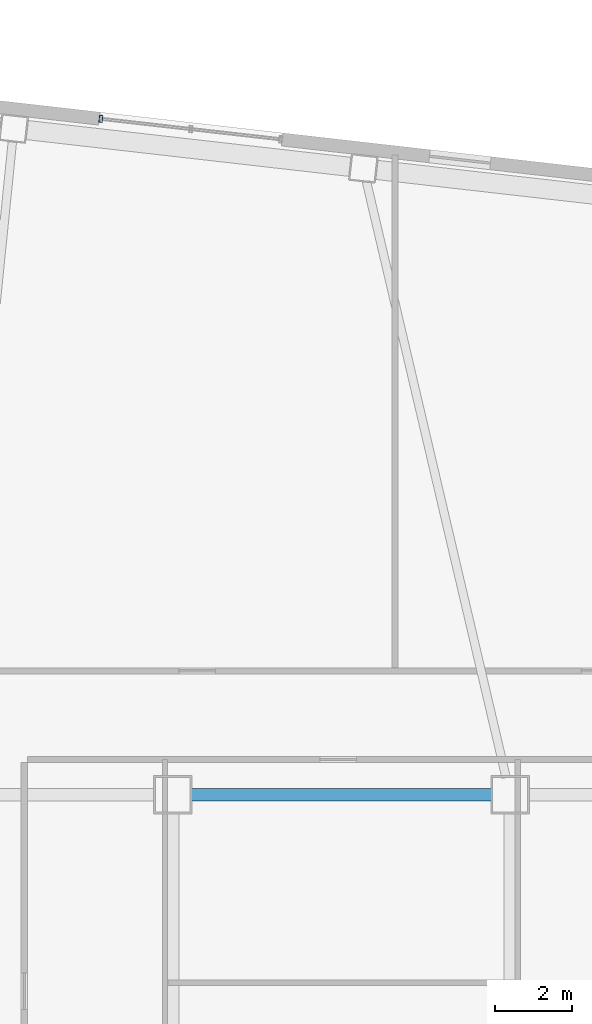
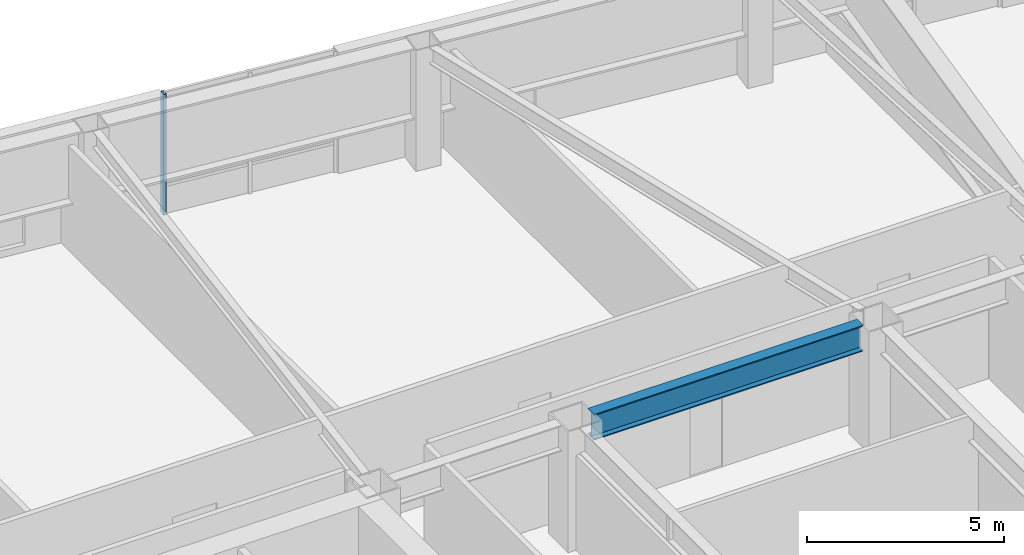
# One storey, part 6 of 21: 1 beam, 1 member, 1 element without a shape of its own.
"""IFC4 building model written with IfcOpenShell, lengths in metres."""

from ifc_helpers import new_model, si_unit, direction, frame, origin, origin_2d, place, context, subcontext, project, spatial, hollow_rectangle, i_section, extrude, material, layer, layer_set, material_profile, profile_set, type_object, element, aggregate, save


model = new_model("IFC4")

# Units and contexts
model_context = context("Model", 3, precision=1e-05, world=origin(), true_north=direction((0.0, 1.0)))
body_context = subcontext(model_context, "Body", "Model", "MODEL_VIEW")
ifc_project = project(units=[si_unit("LENGTHUNIT", "METRE"), si_unit("AREAUNIT", "SQUARE_METRE"), si_unit("VOLUMEUNIT", "CUBIC_METRE"), si_unit("PLANEANGLEUNIT", "RADIAN"), si_unit("MASSUNIT", "GRAM", prefix="KILO")], contexts=[model_context])

# Site, building, storey
site_placement = place(None, origin())
site = spatial("IfcSite", under=ifc_project, at=site_placement, CompositionType="ELEMENT")
building_placement = place(site_placement, origin())
building = spatial("IfcBuilding", under=site, at=building_placement, Name="Tavrogorsk Clinical Tower", CompositionType="ELEMENT")
storey_placement = place(building_placement, frame((0.0, 0.0, 109.39990234375)))
storey = spatial("IfcBuildingStorey", under=building, at=storey_placement, Name="L24", CompositionType="ELEMENT", Elevation=109.39990234375)

# Curtain wall, member
ifc_material_1 = material(Name="Anodised aluminium and triple IGU glazing", Category="aluminium")
ifc_layer = layer(ifc_material_1, 0.179931640625)
ifc_layer_set = layer_set([ifc_layer], Name="Anodised aluminium and triple IGU glazing")
curtain_wall_type = type_object("IfcCurtainWallType", Name="CW2_NorthSlot", PredefinedType="NOTDEFINED", material=ifc_layer_set)
curtain_wall_placement = place(storey_placement, origin())
curtain_wall = element("IfcCurtainWall", 1, at=curtain_wall_placement, inside=storey, type_object=curtain_wall_type, Name="L24 Curtain Wall CW-L24-N-SLOT-1", PredefinedType="NOTDEFINED")
ifc_material_2 = material(Name="Anodised aluminium alloy AW-6060", Category="aluminium")
ifc_material_profile_1 = material_profile(ifc_material_2, hollow_rectangle(XDim=0.090087890625, YDim=0.179931640625, WallThickness=0.00634765625, at=origin_2d()), Name="RHS-180x90x6.3")
ifc_profile_set_1 = profile_set([ifc_material_profile_1], Name="Anodised aluminium alloy AW-6060")
member_type = type_object("IfcMemberType", Name="CwMullion_180x90", PredefinedType="MULLION", material=ifc_profile_set_1)
member_placement = place(storey_placement, frame((-6.273681640625, 23.9775390625, 0.0), z_axis=(0.0, 0.0, 1.0), x_axis=(-0.993571858269, 0.113203191016, 0.0)))
member = element("IfcMember", 2, at=member_placement, type_object=member_type, Name="CW-L24-N-SLOT-1 Mullion 3", PredefinedType="MULLION", context=body_context, shape_type="SweptSolid", body=[
    extrude(hollow_rectangle(XDim=0.090087890625, YDim=0.179931640625, WallThickness=0.00634765625, at=origin_2d()), origin(), (0.0, 0.0, 1.0), 3.739990234375),
])
aggregate(curtain_wall, [member])

# Beam
ifc_material_3 = material(Name="Structural steel S390", Category="steel")
ifc_material_profile_2 = material_profile(ifc_material_3, i_section(OverallWidth=0.320068359375, OverallDepth=0.800048828125, WebThickness=0.02001953125, FlangeThickness=0.033935546875, at=origin_2d()), Name="B-800x320x20x34")
ifc_profile_set_2 = profile_set([ifc_material_profile_2], Name="Structural steel S390")
beam_type = type_object("IfcBeamType", Name="PrimaryGirder_B800", PredefinedType="USERDEFINED", material=ifc_profile_set_2)
beam_placement = place(storey_placement, frame((-3.93994140625, 6.35009765625, 3.340087890625), z_axis=(1.0, 0.0, 0.0), x_axis=(0.0, 1.0, 0.0)))
element("IfcBeam", 3, at=beam_placement, inside=storey, type_object=beam_type, Name="L24 Primary Spine Girder MG-04", ObjectType="GIRDER", PredefinedType="USERDEFINED", context=body_context, shape_type="SweptSolid", body=[
    extrude(i_section(OverallWidth=0.320068359375, OverallDepth=0.800048828125, WebThickness=0.02001953125, FlangeThickness=0.033935546875, at=origin_2d()), origin(), (0.0, 0.0, 1.0), 7.8798828125),
])

save(model, "model.ifc")
